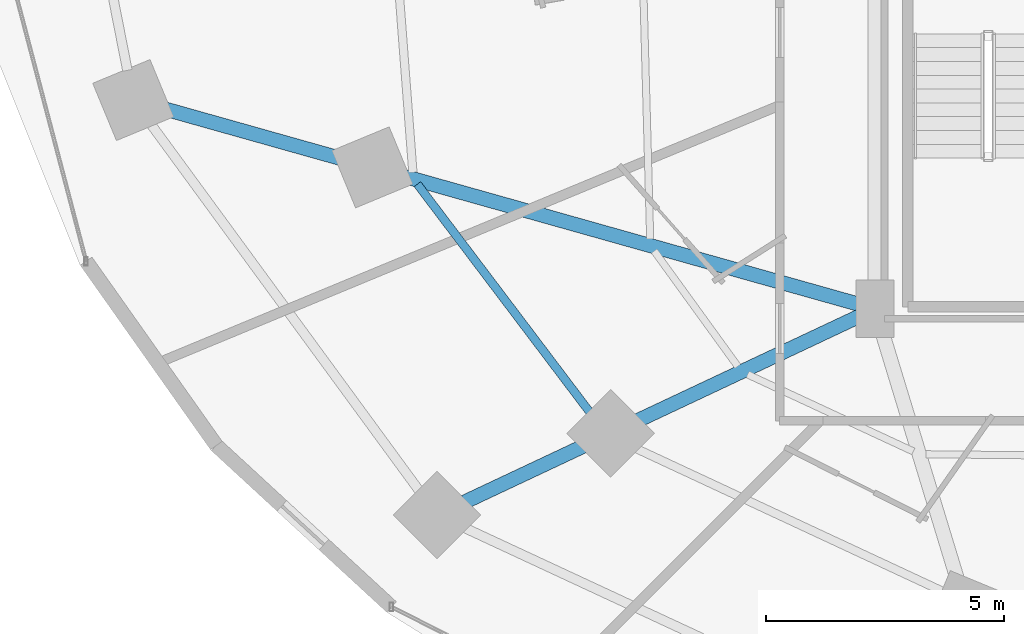
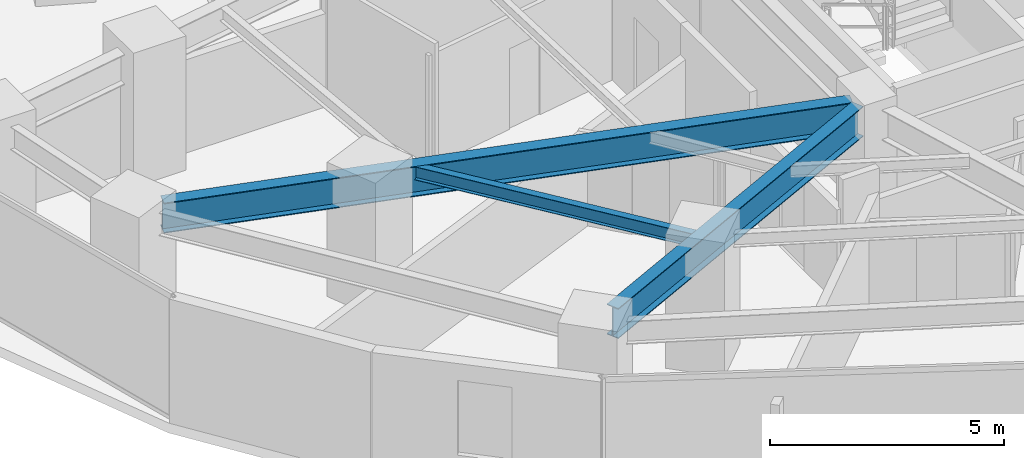
# One storey, part 4 of 34: 3 beams.
"""IFC4 building model written with IfcOpenShell, lengths in metres."""

from ifc_helpers import new_model, si_unit, direction, frame, origin, origin_2d, place, context, subcontext, project, spatial, i_section, extrude, material, material_profile, profile_set, type_object, element, save


model = new_model("IFC4")

# Units and contexts
model_context = context("Model", 3, precision=1e-05, world=origin(), true_north=direction((0.0, 1.0)))
body_context = subcontext(model_context, "Body", "Model", "MODEL_VIEW")
ifc_project = project(units=[si_unit("LENGTHUNIT", "METRE"), si_unit("AREAUNIT", "SQUARE_METRE"), si_unit("VOLUMEUNIT", "CUBIC_METRE"), si_unit("PLANEANGLEUNIT", "RADIAN"), si_unit("MASSUNIT", "GRAM", prefix="KILO")], contexts=[model_context])

# Site, building, storey
site_placement = place(None, origin())
site = spatial("IfcSite", under=ifc_project, at=site_placement, CompositionType="ELEMENT")
building_placement = place(site_placement, origin())
building = spatial("IfcBuilding", under=site, at=building_placement, Name="Vorneva Point Tower", CompositionType="ELEMENT")
storey_placement = place(building_placement, frame((0.0, 0.0, 27.5)))
storey = spatial("IfcBuildingStorey", under=building, at=storey_placement, Name="L06", CompositionType="ELEMENT", Elevation=27.5)

# Beams
ifc_material = material(Name="Steel S355", Category="steel")
ifc_material_profile_1 = material_profile(ifc_material, i_section(OverallWidth=0.300048828125, OverallDepth=0.7880859375, WebThickness=0.014404296875, FlangeThickness=0.02197265625, at=origin_2d()), Name="80Sh1")
ifc_profile_set_1 = profile_set([ifc_material_profile_1], Name="Steel S355")
beam_type_1 = type_object("IfcBeamType", Name="BM-GRD-80Sh1", PredefinedType="USERDEFINED", material=ifc_profile_set_1)
beam_1_placement = place(storey_placement, frame((12.30224609375, 20.65673828125, 2.845947265625), z_axis=(0.962603400973, -0.270914548217, 0.0), x_axis=(0.270914548217, 0.962603400973, 0.0)))
element("IfcBeam", 1, at=beam_1_placement, inside=storey, type_object=beam_type_1, Name="L06 Radial Primary Girder 10", ObjectType="GIRDER", PredefinedType="USERDEFINED", context=body_context, shape_type="SweptSolid", body=[
    extrude(i_section(OverallWidth=0.300048828125, OverallDepth=0.7880859375, WebThickness=0.014404296875, FlangeThickness=0.02197265625, at=origin_2d()), origin(), (0.0, 0.0, 1.0), 15.188232421875),
])
beam_2_placement = place(storey_placement, frame((18.638427734375, 12.39599609375, 2.845947265625), z_axis=(0.904758409006, 0.425925135831, 0.0), x_axis=(-0.425925135831, 0.904758409006, 0.0)))
element("IfcBeam", 2, at=beam_2_placement, inside=storey, type_object=beam_type_1, Name="L06 Radial Primary Girder 11", ObjectType="GIRDER", PredefinedType="USERDEFINED", context=body_context, shape_type="SweptSolid", body=[
    extrude(i_section(OverallWidth=0.300048828125, OverallDepth=0.7880859375, WebThickness=0.014404296875, FlangeThickness=0.02197265625, at=origin_2d()), origin(), (0.0, 0.0, 1.0), 9.177978515625),
])
ifc_material_profile_2 = material_profile(ifc_material, i_section(OverallWidth=0.174072265625, OverallDepth=0.345947265625, WebThickness=0.006103515625, FlangeThickness=0.009033203125, at=origin_2d()), Name="35B1")
ifc_profile_set_2 = profile_set([ifc_material_profile_2], Name="Steel S355")
beam_type_2 = type_object("IfcBeamType", Name="BM-SEC-35B1", PredefinedType="BEAM", material=ifc_profile_set_2)
beam_3_placement = place(storey_placement, frame((17.648681640625, 19.0654296875, 3.06689453125), z_axis=(0.603158130298, -0.797621633267, 0.0), x_axis=(0.797621633267, 0.603158130298, 0.0)))
element("IfcBeam", 3, at=beam_3_placement, inside=storey, type_object=beam_type_2, Name="L06 Secondary Floor Beam 1.10", PredefinedType="BEAM", context=body_context, shape_type="SweptSolid", body=[
    extrude(i_section(OverallWidth=0.174072265625, OverallDepth=0.345947265625, WebThickness=0.006103515625, FlangeThickness=0.009033203125, at=origin_2d()), origin(), (0.0, 0.0, 1.0), 6.459228515625),
])

save(model, "model.ifc")
